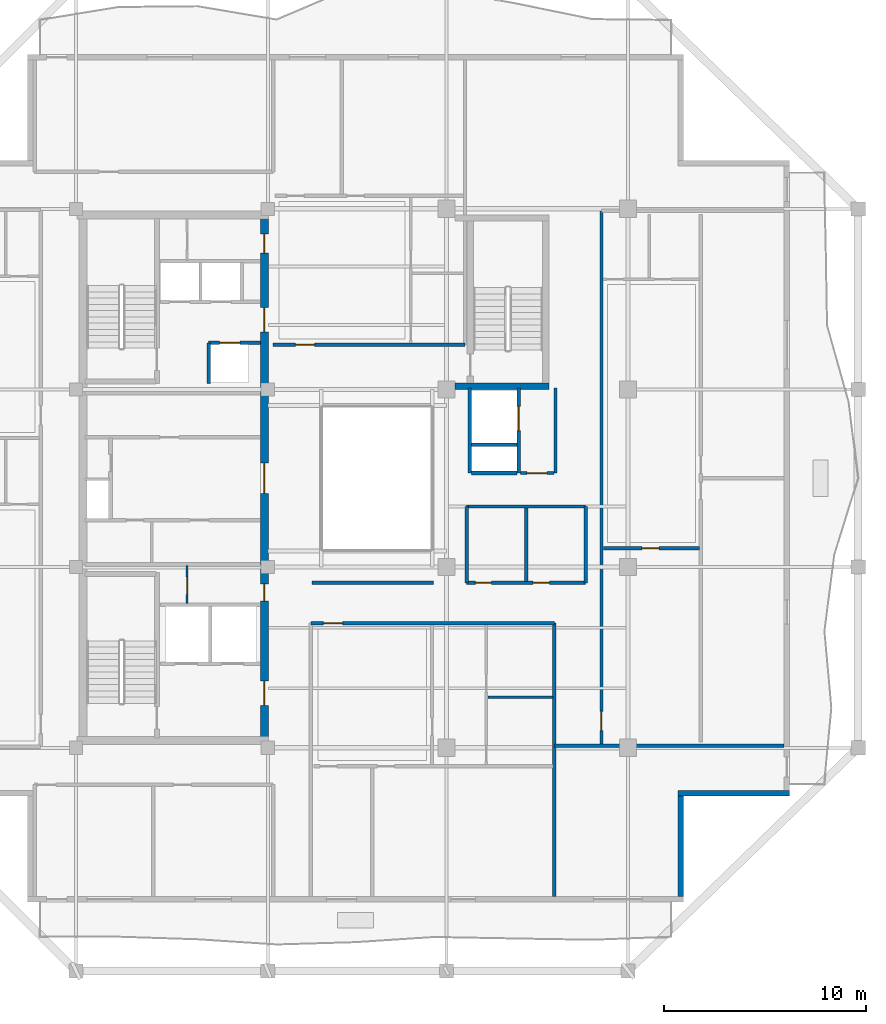
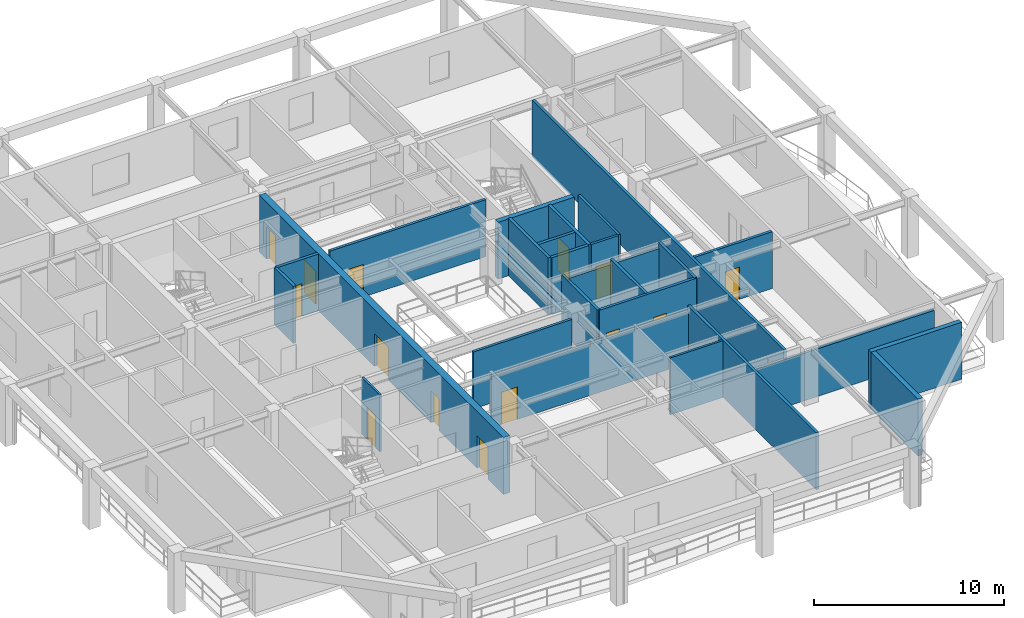
# One storey, part 4 of 11: 26 walls, 15 doors, 15 openings.
"""IFC4 building model written with IfcOpenShell, lengths in metres."""

import ifcopenshell
import ifcopenshell.guid

model = None  # the IFC model being written
_history = None  # IfcOwnerHistory: only IFC2X3 demands one
_inside = {}  # id of a spatial element -> (the spatial element, [elements in it])
_under = {}  # id of a project, library or spatial element -> (it, [spatial elements below it])
_declared = {}  # id of a project -> (the project, [libraries it declares])
_typed = {}  # id of a type object -> (the type object, [elements of that type])
_made_of = {}  # id of a material, layer set ... -> (it, [elements and type objects made of it])


def new_model(schema):
    """Start an empty IFC model of exactly this schema.

    Asked for "IFC4X3", IfcOpenShell would pick the latest addendum, in which some entities
    have other attributes; the version numbers below select the first issue.
    IFC2X3 requires an IfcOwnerHistory on every rooted entity: one is made here for all.
    """
    global model, _history
    if schema == "IFC4X3":
        model = ifcopenshell.file(schema_version=(4, 3, 0, 0))
    else:
        model = ifcopenshell.file(schema=schema)
    _inside.clear()
    _under.clear()
    _declared.clear()
    _typed.clear()
    _made_of.clear()
    _history = None
    if model.schema == "IFC2X3":
        org = make("IfcOrganization", Name="unknown")
        user = make(
            "IfcPersonAndOrganization",
            ThePerson=make("IfcPerson", FamilyName="unknown"),
            TheOrganization=org,
        )
        app = make(
            "IfcApplication",
            ApplicationDeveloper=org,
            Version="unknown",
            ApplicationFullName="unknown",
            ApplicationIdentifier="unknown",
        )
        _history = make(
            "IfcOwnerHistory",
            OwningUser=user,
            OwningApplication=app,
            ChangeAction="ADDED",
            CreationDate=0,
        )
    return model


def make(cls, **values):
    """One entity of the class cls with the attributes given. An attribute that is None is left unset."""
    return model.create_entity(
        cls, **{name: value for name, value in values.items() if value is not None}
    )


def rooted(cls, **values):
    """An entity with a GlobalId (a new one), such as an element, a storey or a relation."""
    return make(cls, GlobalId=ifcopenshell.guid.new(), OwnerHistory=_history, **values)


def si_unit(unit_type, name, prefix=None):
    """IfcSIUnit, for example si_unit("LENGTHUNIT", "METRE", prefix="MILLI")."""
    return make("IfcSIUnit", UnitType=unit_type, Prefix=prefix, Name=name)


def assignment(units):
    """IfcUnitAssignment: the units of a project."""
    return None if units is None else make("IfcUnitAssignment", Units=units)


def point(xyz):
    """IfcCartesianPoint."""
    return None if xyz is None else make("IfcCartesianPoint", Coordinates=xyz)


def direction(xyz):
    """IfcDirection."""
    return None if xyz is None else make("IfcDirection", DirectionRatios=xyz)


def frame(location, z_axis=None, x_axis=None):
    """IfcAxis2Placement3D, a coordinate frame: its origin and axes. An axis left out is left unset."""
    return make(
        "IfcAxis2Placement3D",
        Location=point(location),
        Axis=direction(z_axis),
        RefDirection=direction(x_axis),
    )


def frame_2d(location, x_axis=None):
    """IfcAxis2Placement2D, a coordinate frame in the plane: its origin and x axis."""
    return make(
        "IfcAxis2Placement2D", Location=point(location), RefDirection=direction(x_axis)
    )


def origin():
    """The frame at (0, 0, 0) with its axes left unset."""
    return frame((0.0, 0.0, 0.0))


def place(relative_to, where):
    """IfcLocalPlacement: puts the frame where relative to a parent placement (None: the world)."""
    return make(
        "IfcLocalPlacement", PlacementRelTo=relative_to, RelativePlacement=where
    )


def context(
    kind, dimensions, precision=None, world=None, true_north=None, identifier=None
):
    """IfcGeometricRepresentationContext, for example the 3D "Model" context."""
    return make(
        "IfcGeometricRepresentationContext",
        ContextIdentifier=identifier,
        ContextType=kind,
        CoordinateSpaceDimension=dimensions,
        Precision=precision,
        WorldCoordinateSystem=world,
        TrueNorth=true_north,
    )


def subcontext(parent, identifier, kind, view, scale=None):
    """IfcGeometricRepresentationSubContext, for example "Body" below "Model"."""
    return make(
        "IfcGeometricRepresentationSubContext",
        ContextIdentifier=identifier,
        ContextType=kind,
        ParentContext=parent,
        TargetScale=scale,
        TargetView=view,
    )


def project(units=None, contexts=None):
    """IfcProject with its units and contexts."""
    return rooted(
        "IfcProject",
        Name="project",
        RepresentationContexts=contexts,
        UnitsInContext=assignment(units),
    )


def spatial(cls, under=None, at=None, **own):
    """A site, building, storey or space (cls), placed at a placement, below another one or the project."""
    s = rooted(cls, ObjectPlacement=at, **own)
    if under is not None:
        _under.setdefault(under.id(), (under, []))[1].append(s)
    return s


def profile(cls, at=None, kind="AREA", **sizes):
    """A parametric profile (cls). Its sizes go by their IFC names, for example OverallWidth=200.0."""
    return make(cls, ProfileType=kind, Position=at, **sizes)


def rectangle(**sizes):
    """IfcRectangleProfileDef."""
    return profile("IfcRectangleProfileDef", **sizes)


def extrude(swept, where, along, depth):
    """IfcExtrudedAreaSolid: the profile swept, set in the frame where, extruded along a direction by depth."""
    return make(
        "IfcExtrudedAreaSolid",
        SweptArea=swept,
        Position=where,
        ExtrudedDirection=direction(along),
        Depth=depth,
    )


def shape(context_of_items, identifier, shape_type, items):
    """IfcShapeRepresentation: the items that make up one representation, for example the "Body"."""
    return make(
        "IfcShapeRepresentation",
        ContextOfItems=context_of_items,
        RepresentationIdentifier=identifier,
        RepresentationType=shape_type,
        Items=items,
    )


def material(Name=None, Category=None):
    """IfcMaterial."""
    return make("IfcMaterial", Name=Name, Category=Category)


def layer(
    of_material, thickness, ventilated=None, Name=None, Category=None, Priority=None
):
    """IfcMaterialLayer: one layer of a wall or slab, of a material (None: an air gap)."""
    return make(
        "IfcMaterialLayer",
        Material=of_material,
        LayerThickness=thickness,
        IsVentilated=ventilated,
        Name=Name,
        Category=Category,
        Priority=Priority,
    )


def layer_set(layers, Name=None):
    """IfcMaterialLayerSet."""
    return make("IfcMaterialLayerSet", MaterialLayers=layers, LayerSetName=Name)


def made_of(thing, what):
    """Note that an element or type object is made of a material, layer set ...; save() writes the relation."""
    if what is not None:
        _made_of.setdefault(what.id(), (what, []))[1].append(thing)
    return thing


def type_object(cls, material=None, **own):
    """A type object (cls), such as IfcWallType, which elements share."""
    return made_of(rooted(cls, **own), material)


def element(
    cls,
    number,
    at=None,
    inside=None,
    cuts=None,
    type_object=None,
    material=None,
    context=None,
    identifier="Body",
    shape_type=None,
    held_by="IfcProductDefinitionShape",
    body=None,
    shapes=None,
    **own,
):
    """One element of the class cls, such as IfcWall. Its Tag is "e" and its number.

    at: its placement. inside: the storey or other place that contains it. cuts: it is an
    opening in that element (IfcRelVoidsElement). A single representation is given by context,
    identifier, shape_type and body (its items); several are given by shapes. held_by: the class
    of the entity that holds the representations. save() writes the other relations.
    """
    e = rooted(cls, Tag="e%d" % number, ObjectPlacement=at, **own)
    if body is not None:
        shapes = [shape(context, identifier, shape_type, body)]
    if shapes is not None:
        e.Representation = make(held_by, Representations=shapes)
    if inside is not None:
        _inside.setdefault(inside.id(), (inside, []))[1].append(e)
    if cuts is not None:
        rooted(
            "IfcRelVoidsElement", RelatingBuildingElement=cuts, RelatedOpeningElement=e
        )
    if type_object is not None:
        _typed.setdefault(type_object.id(), (type_object, []))[1].append(e)
    return made_of(e, material)


def fill(opening, filler):
    """IfcRelFillsElement: the door or window that sits in an opening."""
    return rooted(
        "IfcRelFillsElement",
        RelatingOpeningElement=opening,
        RelatedBuildingElement=filler,
    )


def aggregate(whole, parts):
    """IfcRelAggregates: a whole, such as a stair, and the parts it consists of."""
    return rooted("IfcRelAggregates", RelatingObject=whole, RelatedObjects=parts)


def save(model, path):
    """Write the relations noted so far, then the file.

    IfcRelAggregates (storeys below a building ...), IfcRelContainedInSpatialStructure (elements
    in a storey), IfcRelDefinesByType, IfcRelAssociatesMaterial and IfcRelDeclares: one each for
    every whole, place, type object, material and project.
    """
    for whole, parts in _under.values():
        aggregate(whole, parts)
    for where, things in _inside.values():
        rooted(
            "IfcRelContainedInSpatialStructure",
            RelatedElements=things,
            RelatingStructure=where,
        )
    for kind, things in _typed.values():
        rooted("IfcRelDefinesByType", RelatedObjects=things, RelatingType=kind)
    for what, things in _made_of.values():
        rooted("IfcRelAssociatesMaterial", RelatedObjects=things, RelatingMaterial=what)
    for by, libraries in _declared.values():
        rooted("IfcRelDeclares", RelatingContext=by, RelatedDefinitions=libraries)
    model.write(path)


model = new_model("IFC4")

# Units and contexts
model_context = context("Model", 3, precision=1e-05, world=origin(), true_north=direction((0.0, 1.0)))
body_context = subcontext(model_context, "Body", "Model", "MODEL_VIEW")
ifc_project = project(units=[si_unit("LENGTHUNIT", "METRE"), si_unit("AREAUNIT", "SQUARE_METRE"), si_unit("VOLUMEUNIT", "CUBIC_METRE"), si_unit("PLANEANGLEUNIT", "RADIAN"), si_unit("MASSUNIT", "GRAM", prefix="KILO")], contexts=[model_context])

# Site, building, storey
site_placement = place(None, origin())
site = spatial("IfcSite", under=ifc_project, at=site_placement, CompositionType="ELEMENT")
building_placement = place(site_placement, origin())
building = spatial("IfcBuilding", under=site, at=building_placement, Name="Kundavana Baori Tower", CompositionType="ELEMENT")
storey_placement = place(building_placement, frame((0.0, 0.0, 253.10009765625)))
storey = spatial("IfcBuildingStorey", under=building, at=storey_placement, Name="L62", CompositionType="ELEMENT", Elevation=253.10009765625)

# Wall, openings, doors
ifc_material_1 = material(Name="Concrete C50/60", Category="concrete")
ifc_layer_1 = layer(ifc_material_1, 0.39990234375, Name="WL-CORE-400")
ifc_layer_set_1 = layer_set([ifc_layer_1], Name="Concrete C50/60")
wall_type_1 = type_object("IfcWallType", Name="WL-CORE-400", PredefinedType="SHEAR", material=ifc_layer_set_1)
wall_1_placement = place(storey_placement, frame((24.780029296875, 15.739990234375, 0.0), z_axis=(0.0, 0.0, 1.0), x_axis=(0.0, 1.0, 0.0)))
wall_1 = element("IfcWall", 1, at=wall_1_placement, inside=storey, type_object=wall_type_1, Name="L62 Offset Core East Shear Wall", PredefinedType="SHEAR", context=body_context, shape_type="SweptSolid", body=[
    extrude(rectangle(XDim=25.760009765625, YDim=0.39990234375, at=frame_2d((12.8798828125, 0.0))), origin(), (0.0, 0.0, 1.0), 3.659912109375),
])
opening_1_placement = place(wall_1_placement, frame((1.610107421875, 0.0, 0.0)))
opening_1 = element("IfcOpeningElement", 2, at=opening_1_placement, cuts=wall_1, Name="Opening FD-120", PredefinedType="OPENING", context=body_context, shape_type="SweptSolid", body=[
    extrude(rectangle(XDim=1.199951171875, YDim=2.10009765625, at=frame_2d((0.60009765625, 1.050048828125))), frame((0.0, 0.2099609375, 0.0), z_axis=(0.0, -1.0, 0.0), x_axis=(1.0, 0.0, 0.0)), (0.0, 0.0, 1.0), 0.419921875),
])
opening_2_placement = place(wall_1_placement, frame((6.780029296875, 0.0, 0.0)))
opening_2 = element("IfcOpeningElement", 3, at=opening_2_placement, cuts=wall_1, Name="Opening FD-085", PredefinedType="OPENING", context=body_context, shape_type="SweptSolid", body=[
    extrude(rectangle(XDim=0.85009765625, YDim=2.06005859375, at=frame_2d((0.425048828125, 1.030029296875))), frame((0.0, 0.2099609375, 0.0), z_axis=(0.0, -1.0, 0.0), x_axis=(1.0, 0.0, 0.0)), (0.0, 0.0, 1.0), 0.419921875),
])
opening_3_placement = place(wall_1_placement, frame((12.110107421875, 0.0, 0.0)))
opening_3 = element("IfcOpeningElement", 4, at=opening_3_placement, cuts=wall_1, Name="Opening FD-150", PredefinedType="OPENING", context=body_context, shape_type="SweptSolid", body=[
    extrude(rectangle(XDim=1.5, YDim=2.1201171875, at=frame_2d((0.75, 1.06005859375))), frame((0.0, 0.2099609375, 0.0), z_axis=(0.0, -1.0, 0.0), x_axis=(1.0, 0.0, 0.0)), (0.0, 0.0, 1.0), 0.419921875),
])
opening_4_placement = place(wall_1_placement, frame((20.110107421875, 0.0, 0.0)))
opening_4 = element("IfcOpeningElement", 5, at=opening_4_placement, cuts=wall_1, Name="Opening FD-122", PredefinedType="OPENING", context=body_context, shape_type="SweptSolid", body=[
    extrude(rectangle(XDim=1.199951171875, YDim=2.1201171875, at=frame_2d((0.60009765625, 1.06005859375))), frame((0.0, 0.2099609375, 0.0), z_axis=(0.0, -1.0, 0.0), x_axis=(1.0, 0.0, 0.0)), (0.0, 0.0, 1.0), 0.419921875),
])
opening_5_placement = place(wall_1_placement, frame((24.010009765625, 0.0, 0.0)))
opening_5 = element("IfcOpeningElement", 6, at=opening_5_placement, cuts=wall_1, Name="Opening FD-095", PredefinedType="OPENING", context=body_context, shape_type="SweptSolid", body=[
    extrude(rectangle(XDim=0.949951171875, YDim=2.10009765625, at=frame_2d((0.47509765625, 1.050048828125))), frame((0.0, 0.2099609375, 0.0), z_axis=(0.0, -1.0, 0.0), x_axis=(1.0, 0.0, 0.0)), (0.0, 0.0, 1.0), 0.419921875),
])
ifc_material_2 = material(Name="Galvanised Steel Fire-Rated Door Leaf", Category="steel")
door_type_1 = type_object("IfcDoorType", Name="DR-FD120-1200", OperationType="NOTDEFINED", PredefinedType="DOOR", material=ifc_material_2)
door_1_placement = place(opening_1_placement, frame((1.199951171875, 0.0, 0.0), z_axis=(0.0, 0.0, 1.0), x_axis=(-1.0, 0.0, 0.0)))
door_1 = element("IfcDoor", 7, at=door_1_placement, inside=storey, type_object=door_type_1, Name="DR-L62-FFLOB-E", OperationType="SINGLE_SWING_RIGHT", OverallHeight=2.10009765625, OverallWidth=1.199951171875, PredefinedType="DOOR", context=body_context, shape_type="SweptSolid", body=[
    extrude(rectangle(XDim=1.199951171875, YDim=2.10009765625, at=frame_2d((0.60009765625, 1.050048828125))), frame((0.0, 0.02490234375, 0.0), z_axis=(0.0, -1.0, 0.0), x_axis=(1.0, 0.0, 0.0)), (0.0, 0.0, 1.0), 0.050048828125),
])
fill(opening_1, door_1)
ifc_material_3 = material(Name="Galvanised Steel Fire-Rated Door Leaf", Category="steel")
door_type_2 = type_object("IfcDoorType", Name="DR-FD60-1200", OperationType="NOTDEFINED", PredefinedType="DOOR", material=ifc_material_3)
door_2_placement = place(opening_4_placement, frame((1.199951171875, 0.0, 0.0), z_axis=(0.0, 0.0, 1.0), x_axis=(-1.0, 0.0, 0.0)))
door_2 = element("IfcDoor", 8, at=door_2_placement, inside=storey, type_object=door_type_2, Name="DR-L62-HRLOB-E", OperationType="SINGLE_SWING_RIGHT", OverallHeight=2.1201171875, OverallWidth=1.199951171875, PredefinedType="DOOR", context=body_context, shape_type="SweptSolid", body=[
    extrude(rectangle(XDim=1.199951171875, YDim=2.1201171875, at=frame_2d((0.60009765625, 1.06005859375))), frame((0.0, 0.02490234375, 0.0), z_axis=(0.0, -1.0, 0.0), x_axis=(1.0, 0.0, 0.0)), (0.0, 0.0, 1.0), 0.050048828125),
])
fill(opening_4, door_2)
ifc_material_4 = material(Name="Galvanised Steel Fire-Rated Door Leaf", Category="steel")
door_type_3 = type_object("IfcDoorType", Name="DR-FD60-1500", OperationType="NOTDEFINED", PredefinedType="DOOR", material=ifc_material_4)
door_3_placement = place(opening_3_placement, frame((1.5, 0.0, 0.0), z_axis=(0.0, 0.0, 1.0), x_axis=(-1.0, 0.0, 0.0)))
door_3 = element("IfcDoor", 9, at=door_3_placement, inside=storey, type_object=door_type_3, Name="DR-L62-LIFTHALL-E", OperationType="SINGLE_SWING_LEFT", OverallHeight=2.1201171875, OverallWidth=1.5, PredefinedType="DOOR", context=body_context, shape_type="SweptSolid", body=[
    extrude(rectangle(XDim=1.5, YDim=2.1201171875, at=frame_2d((0.75, 1.06005859375))), frame((0.0, 0.02490234375, 0.0), z_axis=(0.0, -1.0, 0.0), x_axis=(1.0, 0.0, 0.0)), (0.0, 0.0, 1.0), 0.050048828125),
])
fill(opening_3, door_3)
ifc_material_5 = material(Name="Galvanised Steel Fire-Rated Door Leaf", Category="steel")
door_type_4 = type_object("IfcDoorType", Name="DR-FD60-850", OperationType="NOTDEFINED", PredefinedType="DOOR", material=ifc_material_5)
door_4_placement = place(opening_2_placement, frame((0.85009765625, 0.0, 0.0), z_axis=(0.0, 0.0, 1.0), x_axis=(-1.0, 0.0, 0.0)))
door_4 = element("IfcDoor", 10, at=door_4_placement, inside=storey, type_object=door_type_4, Name="DR-L62-CSMK2", OperationType="SINGLE_SWING_LEFT", OverallHeight=2.06005859375, OverallWidth=0.85009765625, PredefinedType="DOOR", context=body_context, shape_type="SweptSolid", body=[
    extrude(rectangle(XDim=0.85009765625, YDim=2.06005859375, at=frame_2d((0.425048828125, 1.030029296875))), frame((0.0, 0.02490234375, 0.0), z_axis=(0.0, -1.0, 0.0), x_axis=(1.0, 0.0, 0.0)), (0.0, 0.0, 1.0), 0.050048828125),
])
fill(opening_2, door_4)
ifc_material_6 = material(Name="Engineered Teak Fire-Rated Timber Door Leaf", Category="wood")
door_type_5 = type_object("IfcDoorType", Name="DR-FD60-950", OperationType="NOTDEFINED", PredefinedType="DOOR", material=ifc_material_6)
door_5_placement = place(opening_5_placement, frame((0.949951171875, 0.0, 0.0), z_axis=(0.0, 0.0, 1.0), x_axis=(-1.0, 0.0, 0.0)))
door_5 = element("IfcDoor", 11, at=door_5_placement, inside=storey, type_object=door_type_5, Name="DR-L62-CSRV2", OperationType="SINGLE_SWING_LEFT", OverallHeight=2.10009765625, OverallWidth=0.949951171875, PredefinedType="DOOR", context=body_context, shape_type="SweptSolid", body=[
    extrude(rectangle(XDim=0.949951171875, YDim=2.10009765625, at=frame_2d((0.47509765625, 1.050048828125))), frame((0.0, 0.02490234375, 0.0), z_axis=(0.0, -1.0, 0.0), x_axis=(1.0, 0.0, 0.0)), (0.0, 0.0, 1.0), 0.050048828125),
])
fill(opening_5, door_5)

# Walls
ifc_material_7 = material(Name="Red-Buff Dholpur Sandstone Cladding on Concrete C40/50", Category="masonry")
ifc_layer_2 = layer(ifc_material_7, 0.280029296875, Name="WL-EXT-SAND-280")
ifc_layer_set_2 = layer_set([ifc_layer_2], Name="Red-Buff Dholpur Sandstone Cladding on Concrete C40/50")
wall_type_2 = type_object("IfcWallType", Name="WL-EXT-SAND-280", PredefinedType="STANDARD", material=ifc_layer_set_2)
wall_2_placement = place(storey_placement, frame((45.409912109375, 7.8798828125, 0.0), z_axis=(0.0, 0.0, 1.0), x_axis=(0.0, 1.0, 0.0)))
element("IfcWall", 12, at=wall_2_placement, inside=storey, type_object=wall_type_2, Name="L62 Exterior Insulated Facade Wall 02", PredefinedType="STANDARD", context=body_context, shape_type="SweptSolid", body=[
    extrude(rectangle(XDim=4.97021484375, YDim=0.280029296875, at=frame_2d((2.485107421875, 0.0))), origin(), (0.0, 0.0, 1.0), 3.659912109375),
])
wall_3_placement = place(storey_placement, frame((45.27001953125, 12.989990234375, 0.0), z_axis=(0.0, 0.0, 1.0), x_axis=(1.0, 0.0, 0.0)))
element("IfcWall", 13, at=wall_3_placement, inside=storey, type_object=wall_type_2, Name="L62 Exterior Insulated Facade Wall 03", PredefinedType="STANDARD", context=body_context, shape_type="SweptSolid", body=[
    extrude(rectangle(XDim=5.530029296875, YDim=0.280029296875, at=frame_2d((2.76513671875, 0.0))), origin(), (0.0, 0.0, 1.0), 3.659912109375),
])

# Wall, opening, door
ifc_material_8 = material(Name="Acoustic Gypsum Plasterboard on Galvanised Steel Studs", Category="steel")
ifc_layer_3 = layer(ifc_material_8, 0.1201171875, Name="WL-PART-120")
ifc_layer_set_3 = layer_set([ifc_layer_3], Name="Acoustic Gypsum Plasterboard on Galvanised Steel Studs")
wall_type_3 = type_object("IfcWallType", Name="WL-PART-120", PredefinedType="PARTITIONING", material=ifc_layer_set_3)
wall_4_placement = place(storey_placement, frame((20.949951171875, 22.39990234375, 0.0), z_axis=(0.0, 0.0, 1.0), x_axis=(0.0, 1.0, 0.0)))
wall_4 = element("IfcWall", 14, at=wall_4_placement, inside=storey, type_object=wall_type_3, Name="WL-L62-CSMK-D2", PredefinedType="PARTITIONING", context=body_context, shape_type="SweptSolid", body=[
    extrude(rectangle(XDim=1.880126953125, YDim=0.1201171875, at=frame_2d((0.93994140625, 0.0))), origin(), (0.0, 0.0, 1.0), 3.659912109375),
])
opening_6_placement = place(wall_4_placement, frame((0.449951171875, 0.0, 0.0)))
opening_6 = element("IfcOpeningElement", 15, at=opening_6_placement, cuts=wall_4, Name="Opening FD-085", PredefinedType="OPENING", context=body_context, shape_type="SweptSolid", body=[
    extrude(rectangle(XDim=0.85009765625, YDim=2.06005859375, at=frame_2d((0.425048828125, 1.030029296875))), frame((0.0, 0.070068359375, 0.0), z_axis=(0.0, -1.0, 0.0), x_axis=(1.0, 0.0, 0.0)), (0.0, 0.0, 1.0), 0.14013671875),
])
door_6_placement = place(opening_6_placement, origin())
door_6 = element("IfcDoor", 16, at=door_6_placement, inside=storey, type_object=door_type_4, Name="DR-L62-CSMK1", OperationType="SINGLE_SWING_RIGHT", OverallHeight=2.06005859375, OverallWidth=0.85009765625, PredefinedType="DOOR", context=body_context, shape_type="SweptSolid", body=[
    extrude(rectangle(XDim=0.85009765625, YDim=2.06005859375, at=frame_2d((0.425048828125, 1.030029296875))), frame((0.0, 0.02490234375, 0.0), z_axis=(0.0, -1.0, 0.0), x_axis=(1.0, 0.0, 0.0)), (0.0, 0.0, 1.0), 0.050048828125),
])
fill(opening_6, door_6)

# Wall
ifc_material_9 = material(Name="Fire-Rated Gypsum Drywall on Galvanised Steel Studs", Category="steel")
ifc_layer_4 = layer(ifc_material_9, 0.14990234375, Name="WL-PART-150")
ifc_layer_set_4 = layer_set([ifc_layer_4], Name="Fire-Rated Gypsum Drywall on Galvanised Steel Studs")
wall_type_4 = type_object("IfcWallType", Name="WL-PART-150", PredefinedType="PARTITIONING", material=ifc_layer_set_4)
wall_5_placement = place(storey_placement, frame((39.199951171875, 28.860107421875, 0.0), z_axis=(0.0, 0.0, 1.0), x_axis=(0.0, 1.0, 0.0)))
element("IfcWall", 17, at=wall_5_placement, inside=storey, type_object=wall_type_4, Name="WL-L62-SVLOB-E", PredefinedType="PARTITIONING", context=body_context, shape_type="SweptSolid", body=[
    extrude(rectangle(XDim=4.219970703125, YDim=0.14990234375, at=frame_2d((2.10986328125, 0.0))), origin(), (0.0, 0.0, 1.0), 3.659912109375),
])

# Wall, opening, door
wall_6_placement = place(storey_placement, frame((37.47998046875, 28.860107421875, 0.0), z_axis=(0.0, 0.0, 1.0), x_axis=(1.0, 0.0, 0.0)))
wall_6 = element("IfcWall", 18, at=wall_6_placement, inside=storey, type_object=wall_type_4, Name="WL-L62-SVLOB-S", PredefinedType="PARTITIONING", context=body_context, shape_type="SweptSolid", body=[
    extrude(rectangle(XDim=1.64013671875, YDim=0.14990234375, at=frame_2d((0.820068359375, 0.0))), origin(), (0.0, 0.0, 1.0), 3.659912109375),
])
opening_7_placement = place(wall_6_placement, frame((0.300048828125, 0.0, 0.0)))
opening_7 = element("IfcOpeningElement", 19, at=opening_7_placement, cuts=wall_6, Name="Opening FD-100", PredefinedType="OPENING", context=body_context, shape_type="SweptSolid", body=[
    extrude(rectangle(XDim=1.0, YDim=2.10009765625, at=frame_2d((0.5, 1.050048828125))), frame((0.0, 0.0849609375, 0.0), z_axis=(0.0, -1.0, 0.0), x_axis=(1.0, 0.0, 0.0)), (0.0, 0.0, 1.0), 0.169921875),
])
ifc_material_10 = material(Name="Engineered Teak Fire-Rated Timber Door Leaf", Category="wood")
door_type_6 = type_object("IfcDoorType", Name="DR-FD60-1000", OperationType="NOTDEFINED", PredefinedType="DOOR", material=ifc_material_10)
door_7_placement = place(opening_7_placement, origin())
door_7 = element("IfcDoor", 20, at=door_7_placement, inside=storey, type_object=door_type_6, Name="DR-L62-SVLOB-OUT", OperationType="SINGLE_SWING_LEFT", OverallHeight=2.10009765625, OverallWidth=1.0, PredefinedType="DOOR", context=body_context, shape_type="SweptSolid", body=[
    extrude(rectangle(XDim=1.0, YDim=2.10009765625, at=frame_2d((0.5, 1.050048828125))), frame((0.0, 0.02490234375, 0.0), z_axis=(0.0, -1.0, 0.0), x_axis=(1.0, 0.0, 0.0)), (0.0, 0.0, 1.0), 0.050048828125),
])
fill(opening_7, door_7)

ifc_material_11 = material(Name="Fire-Rated Gypsum Drywall on Galvanised Steel Studs", Category="steel")
ifc_layer_5 = layer(ifc_material_11, 0.1650390625, Name="WL-PART-165")
ifc_layer_set_5 = layer_set([ifc_layer_5], Name="Fire-Rated Gypsum Drywall on Galvanised Steel Studs")
wall_type_5 = type_object("IfcWallType", Name="WL-PART-165", PredefinedType="PARTITIONING", material=ifc_layer_set_5)
wall_7_placement = place(storey_placement, frame((27.080078125, 21.419921875, 0.0), z_axis=(0.0, 0.0, 1.0), x_axis=(1.0, 0.0, 0.0)))
wall_7 = element("IfcWall", 21, at=wall_7_placement, inside=storey, type_object=wall_type_5, Name="WL-L62-RS", PredefinedType="PARTITIONING", context=body_context, shape_type="SweptSolid", body=[
    extrude(rectangle(XDim=12.06982421875, YDim=0.1650390625, at=frame_2d((6.034912109375, 0.0))), origin(), (0.0, 0.0, 1.0), 3.309814453125),
])
opening_8_placement = place(wall_7_placement, frame((0.6298828125, 0.0, 0.0)))
opening_8 = element("IfcOpeningElement", 22, at=opening_8_placement, cuts=wall_7, Name="Opening FD-095", PredefinedType="OPENING", context=body_context, shape_type="SweptSolid", body=[
    extrude(rectangle(XDim=0.949951171875, YDim=2.10009765625, at=frame_2d((0.47509765625, 1.050048828125))), frame((0.0, 0.092529296875, 0.0), z_axis=(0.0, -1.0, 0.0), x_axis=(1.0, 0.0, 0.0)), (0.0, 0.0, 1.0), 0.18505859375),
])
door_8_placement = place(opening_8_placement, frame((0.949951171875, 0.0, 0.0), z_axis=(0.0, 0.0, 1.0), x_axis=(-1.0, 0.0, 0.0)))
door_8 = element("IfcDoor", 23, at=door_8_placement, inside=storey, type_object=door_type_5, Name="DR-L62-S1-ENT", OperationType="SINGLE_SWING_RIGHT", OverallHeight=2.10009765625, OverallWidth=0.949951171875, PredefinedType="DOOR", context=body_context, shape_type="SweptSolid", body=[
    extrude(rectangle(XDim=0.949951171875, YDim=2.10009765625, at=frame_2d((0.47509765625, 1.050048828125))), frame((0.0, 0.02490234375, 0.0), z_axis=(0.0, -1.0, 0.0), x_axis=(1.0, 0.0, 0.0)), (0.0, 0.0, 1.0), 0.050048828125),
])
fill(opening_8, door_8)

# Wall
wall_8_placement = place(storey_placement, frame((27.14990234375, 23.419921875, 0.0), z_axis=(0.0, 0.0, 1.0), x_axis=(1.0, 0.0, 0.0)))
element("IfcWall", 24, at=wall_8_placement, inside=storey, type_object=wall_type_5, Name="WL-L62-RST", PredefinedType="PARTITIONING", context=body_context, shape_type="SweptSolid", body=[
    extrude(rectangle(XDim=6.0, YDim=0.1650390625, at=frame_2d((3.0, 0.0))), origin(), (0.0, 0.0, 1.0), 3.659912109375),
])

# Wall, opening, door
wall_9_placement = place(storey_placement, frame((25.219970703125, 35.219970703125, 0.0), z_axis=(0.0, 0.0, 1.0), x_axis=(1.0, 0.0, 0.0)))
wall_9 = element("IfcWall", 25, at=wall_9_placement, inside=storey, type_object=wall_type_5, Name="WL-L62-RN", PredefinedType="PARTITIONING", context=body_context, shape_type="SweptSolid", body=[
    extrude(rectangle(XDim=9.5, YDim=0.1650390625, at=frame_2d((4.75, 0.0))), origin(), (0.0, 0.0, 1.0), 3.659912109375),
])
opening_9_placement = place(wall_9_placement, frame((1.10009765625, 0.0, 0.0)))
opening_9 = element("IfcOpeningElement", 26, at=opening_9_placement, cuts=wall_9, Name="Opening FD-095", PredefinedType="OPENING", context=body_context, shape_type="SweptSolid", body=[
    extrude(rectangle(XDim=0.949951171875, YDim=2.10009765625, at=frame_2d((0.47509765625, 1.050048828125))), frame((0.0, 0.092529296875, 0.0), z_axis=(0.0, -1.0, 0.0), x_axis=(1.0, 0.0, 0.0)), (0.0, 0.0, 1.0), 0.18505859375),
])
door_9_placement = place(opening_9_placement, origin())
door_9 = element("IfcDoor", 27, at=door_9_placement, inside=storey, type_object=door_type_5, Name="DR-L62-N1-ENT", OperationType="SINGLE_SWING_LEFT", OverallHeight=2.10009765625, OverallWidth=0.949951171875, PredefinedType="DOOR", context=body_context, shape_type="SweptSolid", body=[
    extrude(rectangle(XDim=0.949951171875, YDim=2.10009765625, at=frame_2d((0.47509765625, 1.050048828125))), frame((0.0, 0.02490234375, 0.0), z_axis=(0.0, -1.0, 0.0), x_axis=(1.0, 0.0, 0.0)), (0.0, 0.0, 1.0), 0.050048828125),
])
fill(opening_9, door_9)

# Wall
wall_10_placement = place(storey_placement, frame((39.14990234375, 7.8798828125, 0.0), z_axis=(0.0, 0.0, 1.0), x_axis=(0.0, 1.0, 0.0)))
element("IfcWall", 28, at=wall_10_placement, inside=storey, type_object=wall_type_5, Name="WL-L62-RSEND", PredefinedType="PARTITIONING", context=body_context, shape_type="SweptSolid", body=[
    extrude(rectangle(XDim=13.5400390625, YDim=0.1650390625, at=frame_2d((6.77001953125, 0.0))), origin(), (0.0, 0.0, 1.0), 3.659912109375),
])

# Wall, opening, door
wall_11_placement = place(storey_placement, frame((41.47998046875, 15.35009765625, 0.0), z_axis=(0.0, 0.0, 1.0), x_axis=(0.0, 1.0, 0.0)))
wall_11 = element("IfcWall", 29, at=wall_11_placement, inside=storey, type_object=wall_type_5, Name="WL-L62-RE", PredefinedType="PARTITIONING", context=body_context, shape_type="SweptSolid", body=[
    extrude(rectangle(XDim=26.5, YDim=0.1650390625, at=frame_2d((13.25, 0.0))), origin(), (0.0, 0.0, 1.0), 3.659912109375),
])
opening_10_placement = place(wall_11_placement, frame((0.75, 0.0, 0.0)))
opening_10 = element("IfcOpeningElement", 30, at=opening_10_placement, cuts=wall_11, Name="Opening FD-095", PredefinedType="OPENING", context=body_context, shape_type="SweptSolid", body=[
    extrude(rectangle(XDim=0.949951171875, YDim=2.10009765625, at=frame_2d((0.47509765625, 1.050048828125))), frame((0.0, 0.092529296875, 0.0), z_axis=(0.0, -1.0, 0.0), x_axis=(1.0, 0.0, 0.0)), (0.0, 0.0, 1.0), 0.18505859375),
])
door_10_placement = place(opening_10_placement, origin())
door_10 = element("IfcDoor", 31, at=door_10_placement, inside=storey, type_object=door_type_5, Name="DR-L62-E1-ENT", OperationType="SINGLE_SWING_LEFT", OverallHeight=2.10009765625, OverallWidth=0.949951171875, PredefinedType="DOOR", context=body_context, shape_type="SweptSolid", body=[
    extrude(rectangle(XDim=0.949951171875, YDim=2.10009765625, at=frame_2d((0.47509765625, 1.050048828125))), frame((0.0, 0.02490234375, 0.0), z_axis=(0.0, -1.0, 0.0), x_axis=(1.0, 0.0, 0.0)), (0.0, 0.0, 1.0), 0.050048828125),
])
fill(opening_10, door_10)

# Wall
wall_12_placement = place(storey_placement, frame((39.14990234375, 15.35009765625, 0.0), z_axis=(0.0, 0.0, 1.0), x_axis=(1.0, 0.0, 0.0)))
element("IfcWall", 32, at=wall_12_placement, inside=storey, type_object=wall_type_5, Name="WL-L62-RES", PredefinedType="PARTITIONING", context=body_context, shape_type="SweptSolid", body=[
    extrude(rectangle(XDim=11.3701171875, YDim=0.1650390625, at=frame_2d((5.68505859375, 0.0))), origin(), (0.0, 0.0, 1.0), 3.059814453125),
])

# Wall, opening, door
wall_13_placement = place(storey_placement, frame((41.580078125, 25.131103515625, 0.0), z_axis=(0.0, 0.0, 1.0), x_axis=(1.0, 0.0, 0.0)))
wall_13 = element("IfcWall", 33, at=wall_13_placement, inside=storey, type_object=wall_type_5, Name="WL-L62-E1-STH", PredefinedType="PARTITIONING", context=body_context, shape_type="SweptSolid", body=[
    extrude(rectangle(XDim=4.747802734375, YDim=0.1650390625, at=frame_2d((2.3740234375, 0.0))), origin(), (0.0, 0.0, 1.0), 3.659912109375),
])
opening_11_placement = place(wall_13_placement, frame((1.89990234375, 0.0, 0.0)))
opening_11 = element("IfcOpeningElement", 34, at=opening_11_placement, cuts=wall_13, Name="Opening ID-085", PredefinedType="OPENING", context=body_context, shape_type="SweptSolid", body=[
    extrude(rectangle(XDim=0.85009765625, YDim=2.080078125, at=frame_2d((0.425048828125, 1.0400390625))), frame((0.0, 0.092529296875, 0.0), z_axis=(0.0, -1.0, 0.0), x_axis=(1.0, 0.0, 0.0)), (0.0, 0.0, 1.0), 0.18505859375),
])
ifc_material_12 = material(Name="Engineered Teak Solid-Core Timber Veneer", Category="wood")
door_type_7 = type_object("IfcDoorType", Name="DR-INT-850", OperationType="NOTDEFINED", PredefinedType="DOOR", material=ifc_material_12)
door_11_placement = place(opening_11_placement, frame((0.85009765625, 0.0, 0.0), z_axis=(0.0, 0.0, 1.0), x_axis=(-1.0, 0.0, 0.0)))
door_11 = element("IfcDoor", 35, at=door_11_placement, inside=storey, type_object=door_type_7, Name="DR-L62-E1-STD", OperationType="SINGLE_SWING_LEFT", OverallHeight=2.080078125, OverallWidth=0.85009765625, PredefinedType="DOOR", context=body_context, shape_type="SweptSolid", body=[
    extrude(rectangle(XDim=0.85009765625, YDim=2.080078125, at=frame_2d((0.425048828125, 1.0400390625))), frame((0.0, 0.02490234375, 0.0), z_axis=(0.0, -1.0, 0.0), x_axis=(1.0, 0.0, 0.0)), (0.0, 0.0, 1.0), 0.050048828125),
])
fill(opening_11, door_11)

# Wall, openings, doors
wall_14_placement = place(storey_placement, frame((34.800048828125, 23.419921875, 0.0), z_axis=(0.0, 0.0, 1.0), x_axis=(1.0, 0.0, 0.0)))
wall_14 = element("IfcWall", 36, at=wall_14_placement, inside=storey, type_object=wall_type_5, Name="WL-L62-ALS", PredefinedType="PARTITIONING", context=body_context, shape_type="SweptSolid", body=[
    extrude(rectangle(XDim=5.89990234375, YDim=0.1650390625, at=frame_2d((2.949951171875, 0.0))), origin(), (0.0, 0.0, 1.0), 3.659912109375),
])
opening_12_placement = place(wall_14_placement, frame((0.429931640625, 0.0, 0.0)))
opening_12 = element("IfcOpeningElement", 37, at=opening_12_placement, cuts=wall_14, Name="Opening WD-080", PredefinedType="OPENING", context=body_context, shape_type="SweptSolid", body=[
    extrude(rectangle(XDim=0.800048828125, YDim=2.050048828125, at=frame_2d((0.39990234375, 1.02490234375))), frame((0.0, 0.092529296875, 0.0), z_axis=(0.0, -1.0, 0.0), x_axis=(1.0, 0.0, 0.0)), (0.0, 0.0, 1.0), 0.18505859375),
])
opening_13_placement = place(wall_14_placement, frame((3.300048828125, 0.0, 0.0)))
opening_13 = element("IfcOpeningElement", 38, at=opening_13_placement, cuts=wall_14, Name="Opening WD-080", PredefinedType="OPENING", context=body_context, shape_type="SweptSolid", body=[
    extrude(rectangle(XDim=0.800048828125, YDim=2.050048828125, at=frame_2d((0.39990234375, 1.02490234375))), frame((0.0, 0.092529296875, 0.0), z_axis=(0.0, -1.0, 0.0), x_axis=(1.0, 0.0, 0.0)), (0.0, 0.0, 1.0), 0.18505859375),
])
ifc_material_13 = material(Name="Engineered Teak Solid-Core Timber Veneer", Category="wood")
door_type_8 = type_object("IfcDoorType", Name="DR-WET-800", OperationType="NOTDEFINED", PredefinedType="DOOR", material=ifc_material_13)
door_12_placement = place(opening_12_placement, origin())
door_12 = element("IfcDoor", 39, at=door_12_placement, inside=storey, type_object=door_type_8, Name="DR-L62-RALC1", OperationType="SINGLE_SWING_LEFT", OverallHeight=2.050048828125, OverallWidth=0.800048828125, PredefinedType="DOOR", context=body_context, shape_type="SweptSolid", body=[
    extrude(rectangle(XDim=0.800048828125, YDim=2.050048828125, at=frame_2d((0.39990234375, 1.02490234375))), frame((0.0, 0.02490234375, 0.0), z_axis=(0.0, -1.0, 0.0), x_axis=(1.0, 0.0, 0.0)), (0.0, 0.0, 1.0), 0.050048828125),
])
fill(opening_12, door_12)
door_13_placement = place(opening_13_placement, origin())
door_13 = element("IfcDoor", 40, at=door_13_placement, inside=storey, type_object=door_type_8, Name="DR-L62-RALC2", OperationType="SINGLE_SWING_LEFT", OverallHeight=2.050048828125, OverallWidth=0.800048828125, PredefinedType="DOOR", context=body_context, shape_type="SweptSolid", body=[
    extrude(rectangle(XDim=0.800048828125, YDim=2.050048828125, at=frame_2d((0.39990234375, 1.02490234375))), frame((0.0, 0.02490234375, 0.0), z_axis=(0.0, -1.0, 0.0), x_axis=(1.0, 0.0, 0.0)), (0.0, 0.0, 1.0), 0.050048828125),
])
fill(opening_13, door_13)

# Walls
wall_15_placement = place(storey_placement, frame((34.800048828125, 27.199951171875, 0.0), z_axis=(0.0, 0.0, 1.0), x_axis=(1.0, 0.0, 0.0)))
element("IfcWall", 41, at=wall_15_placement, inside=storey, type_object=wall_type_5, Name="WL-L62-ALN", PredefinedType="PARTITIONING", context=body_context, shape_type="SweptSolid", body=[
    extrude(rectangle(XDim=5.89990234375, YDim=0.1650390625, at=frame_2d((2.949951171875, 0.0))), origin(), (0.0, 0.0, 1.0), 3.309814453125),
])
for number, where, z_axis, x_axis, name in (
    (42, (34.800048828125, 23.419921875, 0.0), (0.0, 0.0, 1.0), (0.0, 1.0, 0.0), "WL-L62-ALW"),
    (43, (40.699951171875, 23.419921875, 0.0), (0.0, 0.0, 1.0), (0.0, 1.0, 0.0), "WL-L62-ALE"),
):
    element("IfcWall", number, at=place(storey_placement, frame(where, z_axis=z_axis, x_axis=x_axis)), inside=storey, type_object=wall_type_5, Name=name, PredefinedType="PARTITIONING", context=body_context, shape_type="SweptSolid", body=[
        extrude(rectangle(XDim=3.780029296875, YDim=0.1650390625, at=frame_2d((1.89013671875, 0.0))), origin(), (0.0, 0.0, 1.0), 3.659912109375),
    ])
wall_16_placement = place(storey_placement, frame((37.75, 23.47998046875, 0.0), z_axis=(0.0, 0.0, 1.0), x_axis=(0.0, 1.0, 0.0)))
element("IfcWall", 44, at=wall_16_placement, inside=storey, type_object=wall_type_5, Name="WL-L62-ALD1", PredefinedType="PARTITIONING", context=body_context, shape_type="SweptSolid", body=[
    extrude(rectangle(XDim=3.659912109375, YDim=0.1650390625, at=frame_2d((1.830078125, 0.0))), origin(), (0.0, 0.0, 1.0), 3.659912109375),
])

# Wall, opening, door
ifc_material_14 = material(Name="Autoclaved Aerated Concrete Blockwork Masonry", Category="masonry")
ifc_layer_6 = layer(ifc_material_14, 0.179931640625, Name="WL-SHAFT-180")
ifc_layer_set_6 = layer_set([ifc_layer_6], Name="Autoclaved Aerated Concrete Blockwork Masonry")
wall_type_6 = type_object("IfcWallType", Name="WL-SHAFT-180", PredefinedType="SOLIDWALL", material=ifc_layer_set_6)
wall_17_placement = place(storey_placement, frame((22.02001953125, 35.31005859375, 0.0), z_axis=(0.0, 0.0, 1.0), x_axis=(1.0, 0.0, 0.0)))
wall_17 = element("IfcWall", 45, at=wall_17_placement, inside=storey, type_object=wall_type_6, Name="WL-L62-LP11-N", PredefinedType="SOLIDWALL", context=body_context, shape_type="SweptSolid", body=[
    extrude(rectangle(XDim=2.56005859375, YDim=0.179931640625, at=frame_2d((1.280029296875, 0.0))), origin(), (0.0, 0.0, 1.0), 3.659912109375),
])
opening_14_placement = place(wall_17_placement, frame((0.550048828125, 0.0, 0.0)))
opening_14 = element("IfcOpeningElement", 46, at=opening_14_placement, cuts=wall_17, Name="Opening LD-100", PredefinedType="OPENING", context=body_context, shape_type="SweptSolid", body=[
    extrude(rectangle(XDim=1.0, YDim=2.10009765625, at=frame_2d((0.5, 1.050048828125))), frame((0.0, 0.10009765625, 0.0), z_axis=(0.0, -1.0, 0.0), x_axis=(1.0, 0.0, 0.0)), (0.0, 0.0, 1.0), 0.199951171875),
])
ifc_material_15 = material(Name="Galvanised Steel Fire-Rated Door Leaf", Category="steel")
door_type_9 = type_object("IfcDoorType", Name="DR-SLIDE-LD1000", OperationType="NOTDEFINED", PredefinedType="DOOR", material=ifc_material_15)
door_14_placement = place(opening_14_placement, origin())
door_14 = element("IfcDoor", 47, at=door_14_placement, inside=storey, type_object=door_type_9, Name="DR-L62-LD-LP11", OperationType="DOUBLE_DOOR_SLIDING", OverallHeight=2.10009765625, OverallWidth=1.0, PredefinedType="DOOR", context=body_context, shape_type="SweptSolid", body=[
    extrude(rectangle(XDim=1.0, YDim=2.10009765625, at=frame_2d((0.5, 1.050048828125))), frame((0.0, 0.02490234375, 0.0), z_axis=(0.0, -1.0, 0.0), x_axis=(1.0, 0.0, 0.0)), (0.0, 0.0, 1.0), 0.050048828125),
])
fill(opening_14, door_14)

# Walls
wall_18_placement = place(storey_placement, frame((22.02001953125, 33.300048828125, 0.0), z_axis=(0.0, 0.0, 1.0), x_axis=(0.0, 1.0, 0.0)))
element("IfcWall", 48, at=wall_18_placement, inside=storey, type_object=wall_type_6, Name="WL-L62-LP11-W", PredefinedType="SOLIDWALL", context=body_context, shape_type="SweptSolid", body=[
    extrude(rectangle(XDim=2.010009765625, YDim=0.179931640625, at=frame_2d((1.0048828125, 0.0))), origin(), (0.0, 0.0, 1.0), 3.659912109375),
])
wall_19_placement = place(storey_placement, frame((34.9599609375, 28.860107421875, 0.0), z_axis=(0.0, 0.0, 1.0), x_axis=(0.0, 1.0, 0.0)))
element("IfcWall", 49, at=wall_19_placement, inside=storey, type_object=wall_type_6, Name="WL-L62-SVL-W", PredefinedType="SOLIDWALL", context=body_context, shape_type="SweptSolid", body=[
    extrude(rectangle(XDim=4.219970703125, YDim=0.179931640625, at=frame_2d((2.10986328125, 0.0))), origin(), (0.0, 0.0, 1.0), 3.659912109375),
])

# Wall, opening, door
wall_20_placement = place(storey_placement, frame((37.389892578125, 28.860107421875, 0.0), z_axis=(0.0, 0.0, 1.0), x_axis=(0.0, 1.0, 0.0)))
wall_20 = element("IfcWall", 50, at=wall_20_placement, inside=storey, type_object=wall_type_6, Name="WL-L62-SVL-E", PredefinedType="SOLIDWALL", context=body_context, shape_type="SweptSolid", body=[
    extrude(rectangle(XDim=4.219970703125, YDim=0.179931640625, at=frame_2d((2.10986328125, 0.0))), origin(), (0.0, 0.0, 1.0), 3.659912109375),
])
opening_15_placement = place(wall_20_placement, frame((2.10009765625, 0.0, 0.0)))
opening_15 = element("IfcOpeningElement", 51, at=opening_15_placement, cuts=wall_20, Name="Opening LD-120", PredefinedType="OPENING", context=body_context, shape_type="SweptSolid", body=[
    extrude(rectangle(XDim=1.199951171875, YDim=2.1201171875, at=frame_2d((0.60009765625, 1.06005859375))), frame((0.0, 0.10009765625, 0.0), z_axis=(0.0, -1.0, 0.0), x_axis=(1.0, 0.0, 0.0)), (0.0, 0.0, 1.0), 0.199951171875),
])
ifc_material_16 = material(Name="Galvanised Steel Fire-Rated Door Leaf", Category="steel")
door_type_10 = type_object("IfcDoorType", Name="DR-SLIDE-LD1200", OperationType="NOTDEFINED", PredefinedType="DOOR", material=ifc_material_16)
door_15_placement = place(opening_15_placement, frame((1.199951171875, 0.0, 0.0), z_axis=(0.0, 0.0, 1.0), x_axis=(-1.0, 0.0, 0.0)))
door_15 = element("IfcDoor", 52, at=door_15_placement, inside=storey, type_object=door_type_10, Name="DR-L62-LD-SVL1", OperationType="DOUBLE_DOOR_SLIDING", OverallHeight=2.1201171875, OverallWidth=1.199951171875, PredefinedType="DOOR", context=body_context, shape_type="SweptSolid", body=[
    extrude(rectangle(XDim=1.199951171875, YDim=2.1201171875, at=frame_2d((0.60009765625, 1.06005859375))), frame((0.0, 0.02490234375, 0.0), z_axis=(0.0, -1.0, 0.0), x_axis=(1.0, 0.0, 0.0)), (0.0, 0.0, 1.0), 0.050048828125),
])
fill(opening_15, door_15)

# Walls
for number, where, z_axis, x_axis, name in (
    (53, (35.050048828125, 28.860107421875, 0.0), (0.0, 0.0, 1.0), (1.0, 0.0, 0.0), "WL-L62-SVL-S"),
    (54, (35.050048828125, 30.27001953125, 0.0), (0.0, 0.0, 1.0), (1.0, 0.0, 0.0), "WL-L62-SVL-M"),
):
    element("IfcWall", number, at=place(storey_placement, frame(where, z_axis=z_axis, x_axis=x_axis)), inside=storey, type_object=wall_type_6, Name=name, PredefinedType="SOLIDWALL", context=body_context, shape_type="SweptSolid", body=[
        extrude(rectangle(XDim=2.25, YDim=0.179931640625, at=frame_2d((1.125, 0.0))), origin(), (0.0, 0.0, 1.0), 3.659912109375),
    ])
ifc_material_17 = material(Name="Concrete C50/60", Category="concrete")
ifc_layer_7 = layer(ifc_material_17, 0.300048828125, Name="WL-ST3-300")
ifc_layer_set_7 = layer_set([ifc_layer_7], Name="Concrete C50/60")
wall_type_7 = type_object("IfcWallType", Name="WL-ST3-300", PredefinedType="SHEAR", material=ifc_layer_set_7)
wall_21_placement = place(storey_placement, frame((34.22509765625, 33.159912109375, 0.0), z_axis=(0.0, 0.0, 1.0), x_axis=(1.0, 0.0, 0.0)))
element("IfcWall", 55, at=wall_21_placement, inside=storey, type_object=wall_type_7, Name="L62 Stair ST3 South Shear Wall", PredefinedType="SHEAR", context=body_context, shape_type="SweptSolid", body=[
    extrude(rectangle(XDim=4.64501953125, YDim=0.300048828125, at=frame_2d((2.322509765625, 0.0))), origin(), (0.0, 0.0, 1.0), 3.659912109375),
])
ifc_material_18 = material(Name="Autoclaved Aerated Concrete Blockwork Masonry", Category="masonry")
ifc_layer_8 = layer(ifc_material_18, 0.125, Name="WL-WET-120")
ifc_layer_set_8 = layer_set([ifc_layer_8], Name="Autoclaved Aerated Concrete Blockwork Masonry")
wall_type_8 = type_object("IfcWallType", Name="WL-WET-120", PredefinedType="PLUMBINGWALL", material=ifc_layer_set_8)
wall_22_placement = place(storey_placement, frame((35.85009765625, 17.741943359375, 0.0), z_axis=(0.0, 0.0, 1.0), x_axis=(1.0, 0.0, 0.0)))
element("IfcWall", 56, at=wall_22_placement, inside=storey, type_object=wall_type_8, Name="WL-L62-S1-BT", PredefinedType="PLUMBINGWALL", context=body_context, shape_type="SweptSolid", body=[
    extrude(rectangle(XDim=3.219970703125, YDim=0.125, at=frame_2d((1.60986328125, 0.0))), origin(), (0.0, 0.0, 1.0), 3.659912109375),
])

save(model, "model.ifc")
